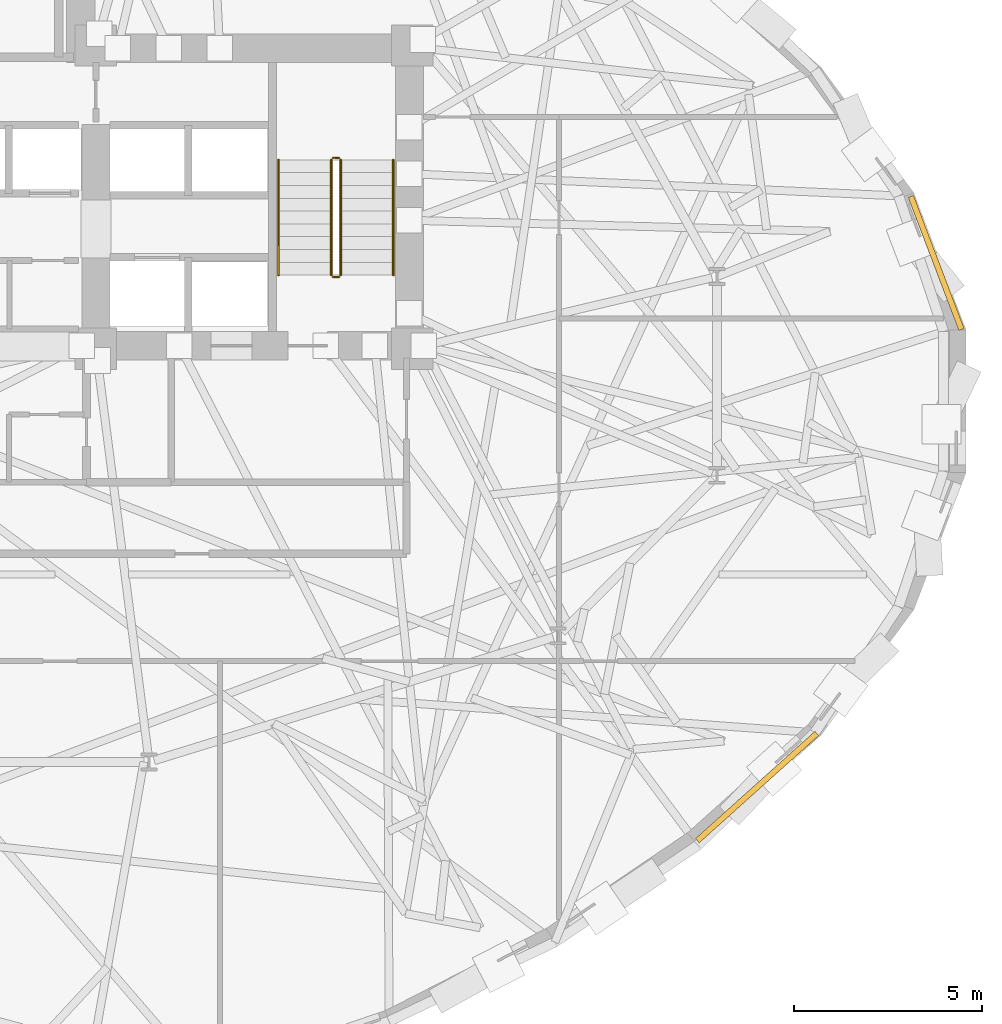
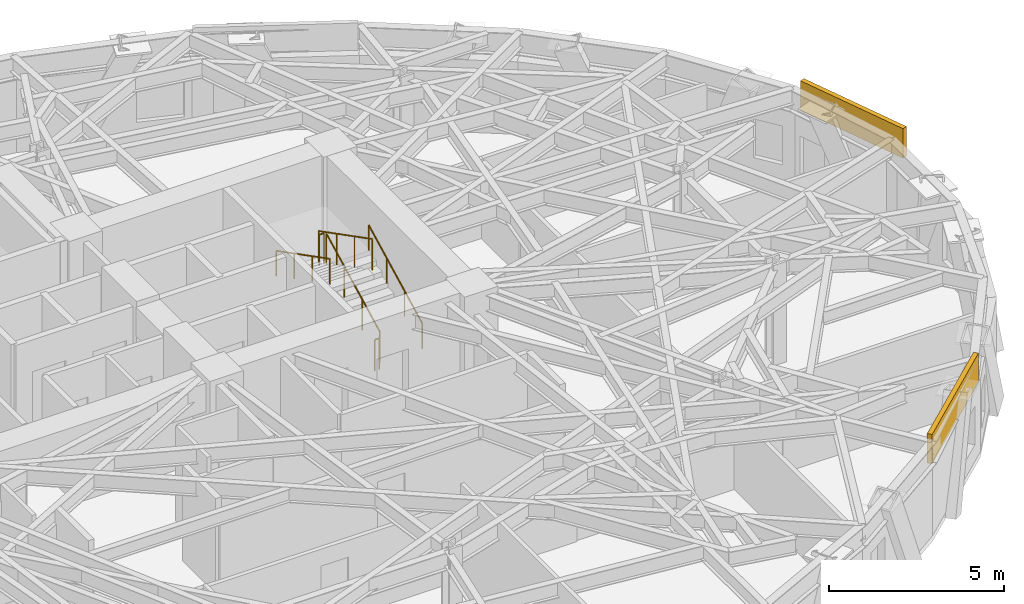
# One storey, part 16 of 17: 6 railings, 2 coverings.
"""IFC4 building model written with IfcOpenShell, lengths in metres."""

from ifc_helpers import new_model, si_unit, direction, frame, origin, origin_2d, place, context, subcontext, project, spatial, rectangle, circle, extrude, material, layer, layer_set, type_object, element, save


model = new_model("IFC4")

# Units and contexts
model_context = context("Model", 3, precision=1e-05, world=origin(), true_north=direction((0.0, 1.0)))
body_context = subcontext(model_context, "Body", "Model", "MODEL_VIEW")
ifc_project = project(units=[si_unit("LENGTHUNIT", "METRE"), si_unit("AREAUNIT", "SQUARE_METRE"), si_unit("VOLUMEUNIT", "CUBIC_METRE"), si_unit("PLANEANGLEUNIT", "RADIAN"), si_unit("MASSUNIT", "GRAM", prefix="KILO")], contexts=[model_context])

# Site, building, storey
site_placement = place(None, origin())
site = spatial("IfcSite", under=ifc_project, at=site_placement, CompositionType="ELEMENT")
building_placement = place(site_placement, origin())
building = spatial("IfcBuilding", under=site, at=building_placement, Name="Keldmark Tower", CompositionType="ELEMENT")
storey_placement = place(building_placement, frame((0.0, 0.0, 96.60009765625)))
storey = spatial("IfcBuildingStorey", under=building, at=storey_placement, Name="L25", CompositionType="ELEMENT", Elevation=96.60009765625)

# Coverings
ifc_material_1 = material(Name="Honed Kasota Buff Dolomitic Limestone", Category="masonry")
ifc_layer = layer(ifc_material_1, 0.074951171875)
ifc_layer_set = layer_set([ifc_layer], Name="Honed Kasota Buff Dolomitic Limestone")
covering_type = type_object("IfcCoveringType", Name="Kasota Buff Limestone Spandrel Cladding Band", PredefinedType="CLADDING", material=ifc_layer_set)
covering_1_placement = place(storey_placement, frame((27.5166015625, 3.67431640625, 2.45166015625), z_axis=(0.0, 0.0, 1.0), x_axis=(-0.355433256487, 0.934701663732, 0.0)))
element("IfcCovering", 1, at=covering_1_placement, inside=storey, type_object=covering_type, Name="L25 Kasota Limestone Spandrel Band 01", PredefinedType="CLADDING", context=body_context, shape_type="SweptSolid", body=[
    extrude(rectangle(XDim=3.781005859375, YDim=0.14990234375, at=origin_2d()), origin(), (0.0, 0.0, 1.0), 1.028076171875),
])
covering_2_placement = place(storey_placement, frame((22.75927734375, -10.247314453125, 2.45166015625), z_axis=(0.0, 0.0, 1.0), x_axis=(0.743903451691, 0.66828710489, 0.0)))
element("IfcCovering", 2, at=covering_2_placement, inside=storey, type_object=covering_type, Name="L25 Kasota Limestone Spandrel Band 29", PredefinedType="CLADDING", context=body_context, shape_type="SweptSolid", body=[
    extrude(rectangle(XDim=4.265380859375, YDim=0.14990234375, at=origin_2d()), origin(), (0.0, 0.0, 1.0), 1.028076171875),
])

# Railings
ifc_material_2 = material(Name="Painted Steel ASTM A500 Grade B", Category="steel")
railing_type_1 = type_object("IfcRailingType", Name="Painted Steel Stair Well Guard 1100 mm", PredefinedType="GUARDRAIL", material=ifc_material_2)
railing_1_placement = place(storey_placement, frame((11.699951171875, 3.35009765625, 0.1748046875)))
element("IfcRailing", 3, at=railing_1_placement, inside=storey, type_object=railing_type_1, Name="L25 ST2 stair guard 1", PredefinedType="GUARDRAIL", context=body_context, shape_type="SweptSolid", body=[
    extrude(circle(Radius=0.02392578125, at=origin_2d()), frame((0.0, 0.0, 1.076171875), z_axis=(0.0, 0.889101422983, 0.457710235465), x_axis=(-1.0, 0.0, 0.0)), (0.0, 0.0, 1.0), 3.44140625),
    extrude(circle(Radius=0.02099609375, at=origin_2d()), origin(), (0.0, 0.0, 1.0), 1.052001953125),
    extrude(circle(Radius=0.02099609375, at=origin_2d()), frame((0.0, 1.02001953125, 0.525146484375)), (0.0, 0.0, 1.0), 1.052001953125),
    extrude(circle(Radius=0.02099609375, at=origin_2d()), frame((0.0, 2.039794921875, 1.050048828125)), (0.0, 0.0, 1.0), 1.052001953125),
    extrude(circle(Radius=0.02099609375, at=origin_2d()), frame((0.0, 3.059814453125, 1.5751953125)), (0.0, 0.0, 1.0), 1.052001953125),
])
railing_2_placement = place(storey_placement, frame((11.64990234375, 6.4599609375, 1.75)))
element("IfcRailing", 4, at=railing_2_placement, inside=storey, type_object=railing_type_1, Name="L25 ST2 stair guard 2", PredefinedType="GUARDRAIL", context=body_context, shape_type="SweptSolid", body=[
    extrude(circle(Radius=0.02392578125, at=origin_2d()), frame((0.0, 0.0, 1.076171875), z_axis=(-1.0, 0.0, 0.0), x_axis=(0.0, -1.0, 0.0)), (0.0, 0.0, 1.0), 0.14990234375),
    extrude(circle(Radius=0.02099609375, at=origin_2d()), origin(), (0.0, 0.0, 1.0), 1.052001953125),
    extrude(circle(Radius=0.02099609375, at=origin_2d()), frame((-0.14990234375, 0.0, 0.0)), (0.0, 0.0, 1.0), 1.052001953125),
])
railing_3_placement = place(storey_placement, frame((11.449951171875, 6.409912109375, 1.9248046875)))
element("IfcRailing", 5, at=railing_3_placement, inside=storey, type_object=railing_type_1, Name="L25 ST2 stair guard 3", PredefinedType="GUARDRAIL", context=body_context, shape_type="SweptSolid", body=[
    extrude(circle(Radius=0.02392578125, at=origin_2d()), frame((0.0, 0.0, 1.076171875), z_axis=(0.0, -0.889101422983, 0.457710235465), x_axis=(1.0, 0.0, 0.0)), (0.0, 0.0, 1.0), 3.44140625),
    extrude(circle(Radius=0.02099609375, at=origin_2d()), origin(), (0.0, 0.0, 1.0), 1.052001953125),
    extrude(circle(Radius=0.02099609375, at=origin_2d()), frame((0.0, -1.02001953125, 0.525146484375)), (0.0, 0.0, 1.0), 1.052001953125),
    extrude(circle(Radius=0.02099609375, at=origin_2d()), frame((0.0, -2.039794921875, 1.050048828125)), (0.0, 0.0, 1.0), 1.052001953125),
    extrude(circle(Radius=0.02099609375, at=origin_2d()), frame((0.0, -3.059814453125, 1.5751953125)), (0.0, 0.0, 1.0), 1.052001953125),
])
railing_4_placement = place(storey_placement, frame((11.64990234375, 3.300048828125, 0.0)))
element("IfcRailing", 6, at=railing_4_placement, inside=storey, type_object=railing_type_1, Name="L25 ST2 stair guard 4", PredefinedType="GUARDRAIL", context=body_context, shape_type="SweptSolid", body=[
    extrude(circle(Radius=0.02392578125, at=origin_2d()), frame((0.0, 0.0, 1.076171875), z_axis=(-1.0, 0.0, 0.0), x_axis=(0.0, -1.0, 0.0)), (0.0, 0.0, 1.0), 0.14990234375),
    extrude(circle(Radius=0.02099609375, at=origin_2d()), origin(), (0.0, 0.0, 1.0), 1.052001953125),
    extrude(circle(Radius=0.02099609375, at=origin_2d()), frame((-0.14990234375, 0.0, 0.0)), (0.0, 0.0, 1.0), 1.052001953125),
])
ifc_material_3 = material(Name="Stainless Steel AISI 316L", Category="steel")
railing_type_2 = type_object("IfcRailingType", Name="Stainless Steel Stair Handrail 900 mm", PredefinedType="HANDRAIL", material=ifc_material_3)
railing_5_placement = place(storey_placement, frame((13.10009765625, 3.35009765625, 0.1748046875)))
element("IfcRailing", 7, at=railing_5_placement, inside=storey, type_object=railing_type_2, Name="L25 ST2 stair handrail 1", PredefinedType="HANDRAIL", context=body_context, shape_type="SweptSolid", body=[
    extrude(circle(Radius=0.02392578125, at=origin_2d()), frame((0.0, 0.0, 0.8759765625), z_axis=(0.0, 0.889101422983, 0.457710235465), x_axis=(-1.0, 0.0, 0.0)), (0.0, 0.0, 1.0), 3.44140625),
    extrude(circle(Radius=0.02099609375, at=origin_2d()), origin(), (0.0, 0.0, 1.0), 0.851806640625),
    extrude(circle(Radius=0.02099609375, at=origin_2d()), frame((0.0, 1.02001953125, 0.525146484375)), (0.0, 0.0, 1.0), 0.851806640625),
    extrude(circle(Radius=0.02099609375, at=origin_2d()), frame((0.0, 2.039794921875, 1.050048828125)), (0.0, 0.0, 1.0), 0.851806640625),
    extrude(circle(Radius=0.02099609375, at=origin_2d()), frame((0.0, 3.059814453125, 1.5751953125)), (0.0, 0.0, 1.0), 0.851806640625),
])
railing_6_placement = place(storey_placement, frame((10.050048828125, 6.409912109375, 1.9248046875)))
element("IfcRailing", 8, at=railing_6_placement, inside=storey, type_object=railing_type_2, Name="L25 ST2 stair handrail 2", PredefinedType="HANDRAIL", context=body_context, shape_type="SweptSolid", body=[
    extrude(circle(Radius=0.02392578125, at=origin_2d()), frame((0.0, 0.0, 0.8759765625), z_axis=(0.0, -0.889101422983, 0.457710235465), x_axis=(1.0, 0.0, 0.0)), (0.0, 0.0, 1.0), 3.44140625),
    extrude(circle(Radius=0.02099609375, at=origin_2d()), origin(), (0.0, 0.0, 1.0), 0.851806640625),
    extrude(circle(Radius=0.02099609375, at=origin_2d()), frame((0.0, -1.02001953125, 0.525146484375)), (0.0, 0.0, 1.0), 0.851806640625),
    extrude(circle(Radius=0.02099609375, at=origin_2d()), frame((0.0, -2.039794921875, 1.050048828125)), (0.0, 0.0, 1.0), 0.851806640625),
    extrude(circle(Radius=0.02099609375, at=origin_2d()), frame((0.0, -3.059814453125, 1.5751953125)), (0.0, 0.0, 1.0), 0.851806640625),
])

save(model, "model.ifc")
